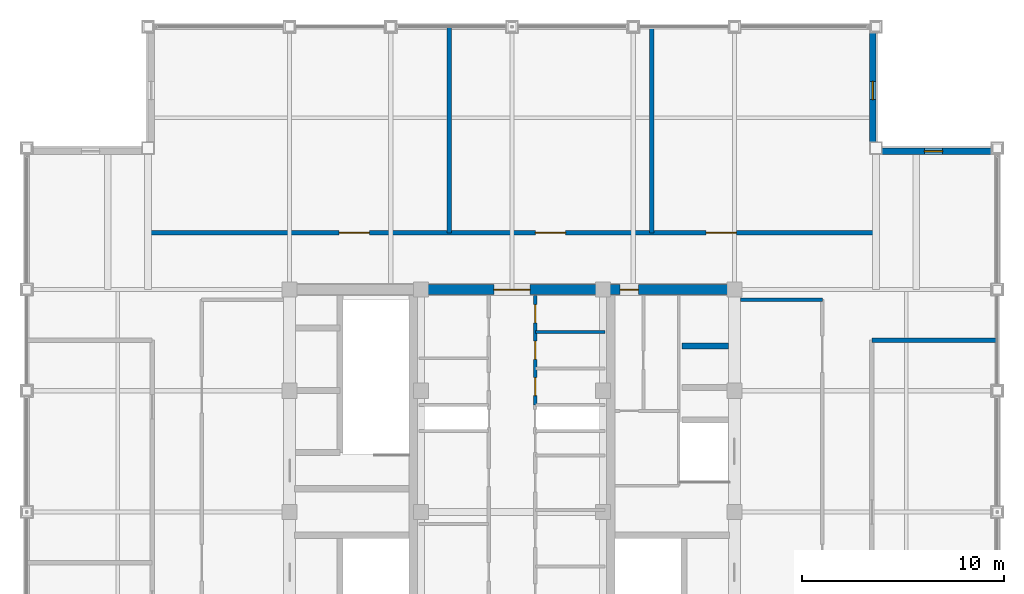
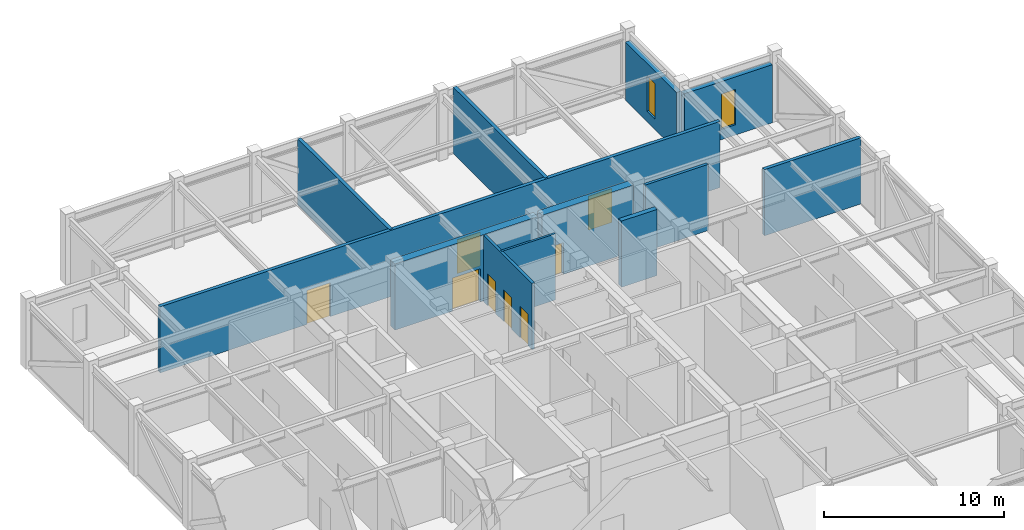
# One storey, part 26 of 27: 12 walls, 8 doors, 2 windows, 10 openings.
"""IFC4 building model written with IfcOpenShell, lengths in metres."""

from ifc_helpers import new_model, si_unit, direction, frame, frame_2d, origin, place, context, subcontext, project, spatial, rectangle, extrude, source, transform, mapped, material, layer, layer_set, type_object, element, fill, save


model = new_model("IFC4")

# Units and contexts
model_context = context("Model", 3, precision=1e-05, world=origin(), true_north=direction((0.0, 1.0)))
body_context = subcontext(model_context, "Body", "Model", "MODEL_VIEW")
ifc_project = project(units=[si_unit("LENGTHUNIT", "METRE"), si_unit("AREAUNIT", "SQUARE_METRE"), si_unit("VOLUMEUNIT", "CUBIC_METRE"), si_unit("PLANEANGLEUNIT", "RADIAN"), si_unit("MASSUNIT", "GRAM", prefix="KILO")], contexts=[model_context])

# Site, building, storey
site_placement = place(None, origin())
site = spatial("IfcSite", under=ifc_project, at=site_placement, CompositionType="ELEMENT")
building_placement = place(site_placement, origin())
building = spatial("IfcBuilding", under=site, at=building_placement, Name="Khorayat Bourse Tower", CompositionType="ELEMENT")
storey_placement = place(building_placement, frame((0.0, 0.0, 399.5)))
storey = spatial("IfcBuildingStorey", under=building, at=storey_placement, Name="L94", CompositionType="ELEMENT", Elevation=399.5)

# Wall, opening, door
ifc_material_1 = material(Name="Concrete C52/65", Category="concrete")
ifc_layer_1 = layer(ifc_material_1, 0.5)
ifc_layer_set_1 = layer_set([ifc_layer_1], Name="Concrete C52/65")
wall_type_1 = type_object("IfcWallType", Name="WAL-CORE-500", PredefinedType="SHEAR", material=ifc_layer_set_1)
shared_shape_1 = source(origin(), body_context, "Body", "SweptSolid", [
    extrude(rectangle(XDim=5.89990234375, YDim=0.5, at=frame_2d((2.949951171875, 0.0))), origin(), (0.0, 0.0, 1.0), 4.5),
])
wall_1_placement = place(storey_placement, frame((4.85009765625, 11.0, 0.0), z_axis=(0.0, 0.0, 1.0), x_axis=(1.0, 0.0, 0.0)))
wall_1 = element("IfcWall", 1, at=wall_1_placement, inside=storey, type_object=wall_type_1, Name="L94 Core Shear Wall PIER-EN", PredefinedType="SHEAR", context=body_context, shape_type="MappedRepresentation", body=[
    mapped(shared_shape_1, transform((0.0, 0.0, 0.0), scale=1.0)),
])
shared_shape_2 = source(origin(), body_context, "Body", "SweptSolid", [
    extrude(rectangle(XDim=0.89990234375, YDim=2.14990234375, at=frame_2d((0.449951171875, 1.074951171875))), frame((0.0, 0.260009765625, 0.0), z_axis=(0.0, -1.0, 0.0), x_axis=(1.0, 0.0, 0.0)), (0.0, 0.0, 1.0), 0.52001953125),
])
opening_1_placement = place(wall_1_placement, frame((0.5, 0.0, 0.0)))
opening_1 = element("IfcOpeningElement", 2, at=opening_1_placement, cuts=wall_1, Name="Opening DI-06", PredefinedType="OPENING", context=body_context, shape_type="MappedRepresentation", body=[
    mapped(shared_shape_2, transform((0.0, 0.0, 0.0), scale=1.0)),
])
ifc_material_2 = material(Name="Moisture-resistant laminate washroom door")
door_type_1 = type_object("IfcDoorType", Name="DR-INT-WC-900", OperationType="NOTDEFINED", PredefinedType="DOOR", material=ifc_material_2)
shared_shape_3 = source(origin(), body_context, "Body", "SweptSolid", [
    extrude(rectangle(XDim=0.89990234375, YDim=2.14990234375, at=frame_2d((0.449951171875, 1.074951171875))), frame((0.0, 0.02490234375, 0.0), z_axis=(0.0, -1.0, 0.0), x_axis=(1.0, 0.0, 0.0)), (0.0, 0.0, 1.0), 0.050048828125),
])
door_1_placement = place(opening_1_placement, origin())
door_1 = element("IfcDoor", 3, at=door_1_placement, inside=storey, type_object=door_type_1, Name="L94 Core Washroom Lobby Door", OperationType="SINGLE_SWING_LEFT", OverallHeight=2.14990234375, OverallWidth=0.89990234375, PredefinedType="DOOR", context=body_context, shape_type="MappedRepresentation", body=[
    mapped(shared_shape_3, transform((0.0, 0.0, 0.0), scale=1.0)),
])
fill(opening_1, door_1)

shared_shape_4 = source(origin(), body_context, "Body", "SweptSolid", [
    extrude(rectangle(XDim=9.2001953125, YDim=0.5, at=frame_2d((4.60009765625, 0.0))), origin(), (0.0, 0.0, 1.0), 4.5),
])
wall_2_placement = place(storey_placement, frame((-4.60009765625, 11.0, 0.0), z_axis=(0.0, 0.0, 1.0), x_axis=(1.0, 0.0, 0.0)))
wall_2 = element("IfcWall", 4, at=wall_2_placement, inside=storey, type_object=wall_type_1, Name="L94 Core Shear Wall CORE-N", PredefinedType="SHEAR", context=body_context, shape_type="MappedRepresentation", body=[
    mapped(shared_shape_4, transform((0.0, 0.0, 0.0), scale=1.0)),
])
shared_shape_5 = source(origin(), body_context, "Body", "SweptSolid", [
    extrude(rectangle(XDim=1.800048828125, YDim=2.25, at=frame_2d((0.89990234375, 1.125))), frame((0.0, 0.260009765625, 0.0), z_axis=(0.0, -1.0, 0.0), x_axis=(1.0, 0.0, 0.0)), (0.0, 0.0, 1.0), 0.52001953125),
])
opening_2_placement = place(wall_2_placement, frame((3.699951171875, 0.0, 0.0)))
opening_2 = element("IfcOpeningElement", 5, at=opening_2_placement, cuts=wall_2, Name="Opening DI-03", PredefinedType="OPENING", context=body_context, shape_type="MappedRepresentation", body=[
    mapped(shared_shape_5, transform((0.0, 0.0, 0.0), scale=1.0)),
])
ifc_material_3 = material(Name="Fire-rated hardwood vision-panel double leaf", Category="wood")
door_type_2 = type_object("IfcDoorType", Name="DR-INT-CORR-1800", OperationType="NOTDEFINED", PredefinedType="DOOR", material=ifc_material_3)
shared_shape_6 = source(origin(), body_context, "Body", "SweptSolid", [
    extrude(rectangle(XDim=1.800048828125, YDim=2.25, at=frame_2d((0.89990234375, 1.125))), frame((0.0, 0.02490234375, 0.0), z_axis=(0.0, -1.0, 0.0), x_axis=(1.0, 0.0, 0.0)), (0.0, 0.0, 1.0), 0.050048828125),
])
door_2_placement = place(opening_2_placement, origin())
door_2 = element("IfcDoor", 6, at=door_2_placement, inside=storey, type_object=door_type_2, Name="L94 Central Core North Passage Door", OperationType="SINGLE_SWING_RIGHT", OverallHeight=2.25, OverallWidth=1.800048828125, PredefinedType="DOOR", context=body_context, shape_type="MappedRepresentation", body=[
    mapped(shared_shape_6, transform((0.0, 0.0, 0.0), scale=1.0)),
])
fill(opening_2, door_2)

# Wall, opening, window
ifc_material_4 = material(Name="Precast concrete C45/55", Category="concrete")
ifc_layer_2 = layer(ifc_material_4, 0.320068359375)
ifc_layer_set_2 = layer_set([ifc_layer_2], Name="Precast concrete C45/55")
wall_type_2 = type_object("IfcWallType", Name="WAL-EXT-STONE-320", PredefinedType="STANDARD", material=ifc_layer_set_2)
shared_shape_7 = source(origin(), body_context, "Body", "SweptSolid", [
    extrude(rectangle(XDim=5.679931640625, YDim=0.320068359375, at=frame_2d((2.83984375, 0.0))), origin(), (0.0, 0.0, 1.0), 3.950927734375),
])
wall_3_placement = place(storey_placement, frame((18.0, 17.840087890625, 0.0), z_axis=(0.0, 0.0, 1.0), x_axis=(1.0, 0.0, 0.0)))
wall_3 = element("IfcWall", 7, at=wall_3_placement, inside=storey, type_object=wall_type_2, Name="L94 Re-Entrant Notch Limestone Wall NE-H", PredefinedType="STANDARD", context=body_context, shape_type="MappedRepresentation", body=[
    mapped(shared_shape_7, transform((0.0, 0.0, 0.0), scale=1.0)),
])
shared_shape_8 = source(origin(), body_context, "Body", "SweptSolid", [
    extrude(rectangle(XDim=0.89990234375, YDim=2.39990234375, at=frame_2d((0.449951171875, 1.199951171875))), frame((0.0, 0.169921875, 0.0), z_axis=(0.0, -1.0, 0.0), x_axis=(1.0, 0.0, 0.0)), (0.0, 0.0, 1.0), 0.340087890625),
])
opening_3_placement = place(wall_3_placement, frame((2.389892578125, 0.0, 0.699951171875)))
opening_3 = element("IfcOpeningElement", 8, at=opening_3_placement, cuts=wall_3, Name="Opening WN-03", PredefinedType="OPENING", context=body_context, shape_type="MappedRepresentation", body=[
    mapped(shared_shape_8, transform((0.0, 0.0, 0.0), scale=1.0)),
])
ifc_material_5 = material(Name="Deep-reveal solar-control double glazing", Category="glass")
window_type = type_object("IfcWindowType", Name="WIN-SLOT-900x2400", PartitioningType="SINGLE_PANEL", PredefinedType="WINDOW", material=ifc_material_5)
shared_shape_9 = source(origin(), body_context, "Body", "SweptSolid", [
    extrude(rectangle(XDim=0.89990234375, YDim=2.39990234375, at=frame_2d((0.449951171875, 1.199951171875))), frame((0.0, 0.030029296875, 0.0), z_axis=(0.0, -1.0, 0.0), x_axis=(1.0, 0.0, 0.0)), (0.0, 0.0, 1.0), 0.06005859375),
])
window_1_placement = place(opening_3_placement, origin())
window_1 = element("IfcWindow", 9, at=window_1_placement, inside=storey, type_object=window_type, Name="L94 Facade Window 1", OverallHeight=2.39990234375, OverallWidth=0.89990234375, PartitioningType="SINGLE_PANEL", PredefinedType="WINDOW", context=body_context, shape_type="MappedRepresentation", body=[
    mapped(shared_shape_9, transform((0.0, 0.0, 0.0), scale=1.0)),
])
fill(opening_3, window_1)

wall_4_placement = place(storey_placement, frame((17.840087890625, 18.0, 0.0), z_axis=(0.0, 0.0, 1.0), x_axis=(0.0, 1.0, 0.0)))
wall_4 = element("IfcWall", 10, at=wall_4_placement, inside=storey, type_object=wall_type_2, Name="L94 Re-Entrant Notch Limestone Wall NE-V", PredefinedType="STANDARD", context=body_context, shape_type="MappedRepresentation", body=[
    mapped(shared_shape_7, transform((0.0, 0.0, 0.0), scale=1.0)),
])
opening_4_placement = place(wall_4_placement, frame((2.389892578125, 0.0, 0.699951171875)))
opening_4 = element("IfcOpeningElement", 11, at=opening_4_placement, cuts=wall_4, Name="Opening WN-03", PredefinedType="OPENING", context=body_context, shape_type="MappedRepresentation", body=[
    mapped(shared_shape_8, transform((0.0, 0.0, 0.0), scale=1.0)),
])
window_2_placement = place(opening_4_placement, origin())
window_2 = element("IfcWindow", 12, at=window_2_placement, inside=storey, type_object=window_type, Name="L94 Facade Window 1", OverallHeight=2.39990234375, OverallWidth=0.89990234375, PartitioningType="SINGLE_PANEL", PredefinedType="WINDOW", context=body_context, shape_type="MappedRepresentation", body=[
    mapped(shared_shape_9, transform((0.0, 0.0, 0.0), scale=1.0)),
])
fill(opening_4, window_2)

# Walls
ifc_material_6 = material(Name="Concrete C50/60", Category="concrete")
ifc_layer_3 = layer(ifc_material_6, 0.300048828125)
ifc_layer_set_3 = layer_set([ifc_layer_3], Name="Concrete C50/60")
wall_type_3 = type_object("IfcWallType", Name="WAL-SHAFT-300", PredefinedType="SHEAR", material=ifc_layer_set_3)
shared_shape_10 = source(origin(), body_context, "Body", "SweptSolid", [
    extrude(rectangle(XDim=2.300048828125, YDim=0.300048828125, at=frame_2d((1.14990234375, 0.0))), origin(), (0.0, 0.0, 1.0), 4.5),
])
wall_5_placement = place(storey_placement, frame((8.39990234375, 8.199951171875, 0.0), z_axis=(0.0, 0.0, 1.0), x_axis=(1.0, 0.0, 0.0)))
element("IfcWall", 13, at=wall_5_placement, inside=storey, type_object=wall_type_3, Name="L94 Partition WAL-L94-EPIER-H34", PredefinedType="SHEAR", context=body_context, shape_type="MappedRepresentation", body=[
    mapped(shared_shape_10, transform((0.0, 0.0, 0.0), scale=1.0)),
])
ifc_material_7 = material(Name="Gypsum plasterboard acoustic stud wall")
ifc_layer_4 = layer(ifc_material_7, 0.179931640625)
ifc_layer_set_4 = layer_set([ifc_layer_4], Name="Gypsum plasterboard acoustic stud wall")
wall_type_4 = type_object("IfcWallType", Name="WAL-PART-CORR-180", PredefinedType="PARTITIONING", material=ifc_layer_set_4)
shared_shape_11 = source(origin(), body_context, "Body", "SweptSolid", [
    extrude(rectangle(XDim=4.050048828125, YDim=0.179931640625, at=frame_2d((2.02490234375, 0.0))), origin(), (0.0, 0.0, 1.0), 4.5),
])
wall_6_placement = place(storey_placement, frame((11.300048828125, 10.5, 0.0), z_axis=(0.0, 0.0, 1.0), x_axis=(1.0, 0.0, 0.0)))
element("IfcWall", 14, at=wall_6_placement, inside=storey, type_object=wall_type_4, Name="L94 Partition WAL-L94-ELOB-N", PredefinedType="PARTITIONING", context=body_context, shape_type="MappedRepresentation", body=[
    mapped(shared_shape_11, transform((0.0, 0.0, 0.0), scale=1.0)),
])
ifc_material_8 = material(Name="Moisture-resistant masonry partition", Category="masonry")
ifc_layer_5 = layer(ifc_material_8, 0.139892578125)
ifc_layer_set_5 = layer_set([ifc_layer_5], Name="Moisture-resistant masonry partition")
wall_type_5 = type_object("IfcWallType", Name="WAL-PART-WET-140", PredefinedType="PARTITIONING", material=ifc_layer_set_5)
shared_shape_12 = source(origin(), body_context, "Body", "SweptSolid", [
    extrude(rectangle(XDim=3.4501953125, YDim=0.139892578125, at=frame_2d((1.72509765625, 0.0))), origin(), (0.0, 0.0, 1.0), 4.5),
])
wall_7_placement = place(storey_placement, frame((1.14990234375, 8.89990234375, 0.0), z_axis=(0.0, 0.0, 1.0), x_axis=(1.0, 0.0, 0.0)))
element("IfcWall", 15, at=wall_7_placement, inside=storey, type_object=wall_type_5, Name="L94 Partition WAL-L94-FB2E-D2", PredefinedType="PARTITIONING", context=body_context, shape_type="MappedRepresentation", body=[
    mapped(shared_shape_12, transform((0.0, 0.0, 0.0), scale=1.0)),
])

# Wall, openings, doors
shared_shape_13 = source(origin(), body_context, "Body", "SweptSolid", [
    extrude(rectangle(XDim=5.39990234375, YDim=0.179931640625, at=frame_2d((2.699951171875, 0.0))), origin(), (0.0, 0.0, 1.0), 4.5),
])
wall_8_placement = place(storey_placement, frame((1.14990234375, 5.300048828125, 0.0), z_axis=(0.0, 0.0, 1.0), x_axis=(0.0, 1.0, 0.0)))
wall_8 = element("IfcWall", 16, at=wall_8_placement, inside=storey, type_object=wall_type_4, Name="L94 Partition WAL-L94-FB2E-L", PredefinedType="PARTITIONING", context=body_context, shape_type="MappedRepresentation", body=[
    mapped(shared_shape_13, transform((0.0, 0.0, 0.0), scale=1.0)),
])
shared_shape_14 = source(origin(), body_context, "Body", "SweptSolid", [
    extrude(rectangle(XDim=0.89990234375, YDim=2.14990234375, at=frame_2d((0.449951171875, 1.074951171875))), frame((0.0, 0.099853515625, 0.0), z_axis=(0.0, -1.0, 0.0), x_axis=(1.0, 0.0, 0.0)), (0.0, 0.0, 1.0), 0.199951171875),
])
opening_5_placement = place(wall_8_placement, frame((0.449951171875, 0.0, 0.0)))
opening_5 = element("IfcOpeningElement", 17, at=opening_5_placement, cuts=wall_8, Name="Opening DI-06", PredefinedType="OPENING", context=body_context, shape_type="MappedRepresentation", body=[
    mapped(shared_shape_14, transform((0.0, 0.0, 0.0), scale=1.0)),
])
opening_6_placement = place(wall_8_placement, frame((2.25, 0.0, 0.0)))
opening_6 = element("IfcOpeningElement", 18, at=opening_6_placement, cuts=wall_8, Name="Opening DI-06", PredefinedType="OPENING", context=body_context, shape_type="MappedRepresentation", body=[
    mapped(shared_shape_14, transform((0.0, 0.0, 0.0), scale=1.0)),
])
opening_7_placement = place(wall_8_placement, frame((4.050048828125, 0.0, 0.0)))
opening_7 = element("IfcOpeningElement", 19, at=opening_7_placement, cuts=wall_8, Name="Opening DI-06", PredefinedType="OPENING", context=body_context, shape_type="MappedRepresentation", body=[
    mapped(shared_shape_14, transform((0.0, 0.0, 0.0), scale=1.0)),
])
door_3_placement = place(opening_5_placement, origin())
door_3 = element("IfcDoor", 20, at=door_3_placement, inside=storey, type_object=door_type_1, Name="L94 Linen Store Door", OperationType="SINGLE_SWING_RIGHT", OverallHeight=2.14990234375, OverallWidth=0.89990234375, PredefinedType="DOOR", context=body_context, shape_type="MappedRepresentation", body=[
    mapped(shared_shape_3, transform((0.0, 0.0, 0.0), scale=1.0)),
])
fill(opening_5, door_3)
door_4_placement = place(opening_6_placement, origin())
door_4 = element("IfcDoor", 21, at=door_4_placement, inside=storey, type_object=door_type_1, Name="L94 Sub-Meter Room Door", OperationType="SINGLE_SWING_LEFT", OverallHeight=2.14990234375, OverallWidth=0.89990234375, PredefinedType="DOOR", context=body_context, shape_type="MappedRepresentation", body=[
    mapped(shared_shape_3, transform((0.0, 0.0, 0.0), scale=1.0)),
])
fill(opening_6, door_4)
door_5_placement = place(opening_7_placement, origin())
door_5 = element("IfcDoor", 22, at=door_5_placement, inside=storey, type_object=door_type_1, Name="L94 Records Store Door", OperationType="SINGLE_SWING_RIGHT", OverallHeight=2.14990234375, OverallWidth=0.89990234375, PredefinedType="DOOR", context=body_context, shape_type="MappedRepresentation", body=[
    mapped(shared_shape_3, transform((0.0, 0.0, 0.0), scale=1.0)),
])
fill(opening_7, door_5)

# Walls
ifc_material_9 = material(Name="Aerated concrete blockwork", Category="masonry")
ifc_layer_6 = layer(ifc_material_9, 0.219970703125)
ifc_layer_set_6 = layer_set([ifc_layer_6], Name="Aerated concrete blockwork")
wall_type_6 = type_object("IfcWallType", Name="WAL-PART-FF-220", PredefinedType="PARTITIONING", material=ifc_layer_set_6)
shared_shape_15 = source(origin(), body_context, "Body", "SweptSolid", [
    extrude(rectangle(XDim=10.199951171875, YDim=0.219970703125, at=frame_2d((5.10009765625, 0.0))), origin(), (0.0, 0.0, 1.0), 4.5),
])
for number, where, z_axis, x_axis, name in (
    (23, (-3.10009765625, 13.800048828125, 0.0), (0.0, 0.0, 1.0), (0.0, 1.0, 0.0), "L94 Partition WAL-L94-PLN-D1"),
    (24, (6.89990234375, 13.800048828125, 0.0), (0.0, 0.0, 1.0), (0.0, 1.0, 0.0), "L94 Partition WAL-L94-PLN-D2"),
):
    element("IfcWall", number, at=place(storey_placement, frame(where, z_axis=z_axis, x_axis=x_axis)), inside=storey, type_object=wall_type_6, Name=name, PredefinedType="PARTITIONING", context=body_context, shape_type="MappedRepresentation", body=[
        mapped(shared_shape_15, transform((0.0, 0.0, 0.0), scale=1.0)),
    ])

# Wall, openings, doors
shared_shape_16 = source(origin(), body_context, "Body", "SweptSolid", [
    extrude(rectangle(XDim=36.0, YDim=0.219970703125, at=frame_2d((18.0, 0.0))), origin(), (0.0, 0.0, 1.0), 4.5),
])
wall_9_placement = place(storey_placement, frame((-18.0, 13.800048828125, 0.0), z_axis=(0.0, 0.0, 1.0), x_axis=(1.0, 0.0, 0.0)))
wall_9 = element("IfcWall", 25, at=wall_9_placement, inside=storey, type_object=wall_type_6, Name="L94 Partition WAL-L94-PLN-S", PredefinedType="PARTITIONING", context=body_context, shape_type="MappedRepresentation", body=[
    mapped(shared_shape_16, transform((0.0, 0.0, 0.0), scale=1.0)),
])
shared_shape_17 = source(origin(), body_context, "Body", "SweptSolid", [
    extrude(rectangle(XDim=1.5, YDim=2.300048828125, at=frame_2d((0.75, 1.14990234375))), frame((0.0, 0.119873046875, 0.0), z_axis=(0.0, -1.0, 0.0), x_axis=(1.0, 0.0, 0.0)), (0.0, 0.0, 1.0), 0.239990234375),
])
opening_8_placement = place(wall_9_placement, frame((9.449951171875, 0.0, 0.0)))
opening_8 = element("IfcOpeningElement", 26, at=opening_8_placement, cuts=wall_9, Name="Opening DI-07", PredefinedType="OPENING", context=body_context, shape_type="MappedRepresentation", body=[
    mapped(shared_shape_17, transform((0.0, 0.0, 0.0), scale=1.0)),
])
opening_9_placement = place(wall_9_placement, frame((19.14990234375, 0.0, 0.0)))
opening_9 = element("IfcOpeningElement", 27, at=opening_9_placement, cuts=wall_9, Name="Opening DI-07", PredefinedType="OPENING", context=body_context, shape_type="MappedRepresentation", body=[
    mapped(shared_shape_17, transform((0.0, 0.0, 0.0), scale=1.0)),
])
opening_10_placement = place(wall_9_placement, frame((27.60009765625, 0.0, 0.0)))
opening_10 = element("IfcOpeningElement", 28, at=opening_10_placement, cuts=wall_9, Name="Opening DI-07", PredefinedType="OPENING", context=body_context, shape_type="MappedRepresentation", body=[
    mapped(shared_shape_17, transform((0.0, 0.0, 0.0), scale=1.0)),
])
ifc_material_10 = material(Name="Louvred fire-rated steel plant double door", Category="steel")
door_type_3 = type_object("IfcDoorType", Name="DR-INT-PLANT-1500", OperationType="NOTDEFINED", PredefinedType="DOOR", material=ifc_material_10)
shared_shape_18 = source(origin(), body_context, "Body", "SweptSolid", [
    extrude(rectangle(XDim=1.5, YDim=2.300048828125, at=frame_2d((0.75, 1.14990234375))), frame((0.0, 0.02490234375, 0.0), z_axis=(0.0, -1.0, 0.0), x_axis=(1.0, 0.0, 0.0)), (0.0, 0.0, 1.0), 0.050048828125),
])
door_6_placement = place(opening_8_placement, origin())
door_6 = element("IfcDoor", 29, at=door_6_placement, inside=storey, type_object=door_type_3, Name="L94 AHU Plant Door", OperationType="SINGLE_SWING_LEFT", OverallHeight=2.300048828125, OverallWidth=1.5, PredefinedType="DOOR", context=body_context, shape_type="MappedRepresentation", body=[
    mapped(shared_shape_18, transform((0.0, 0.0, 0.0), scale=1.0)),
])
fill(opening_8, door_6)
door_7_placement = place(opening_9_placement, origin())
door_7 = element("IfcDoor", 30, at=door_7_placement, inside=storey, type_object=door_type_3, Name="L94 HV Switchgear Door", OperationType="SINGLE_SWING_RIGHT", OverallHeight=2.300048828125, OverallWidth=1.5, PredefinedType="DOOR", context=body_context, shape_type="MappedRepresentation", body=[
    mapped(shared_shape_18, transform((0.0, 0.0, 0.0), scale=1.0)),
])
fill(opening_9, door_7)
door_8_placement = place(opening_10_placement, origin())
door_8 = element("IfcDoor", 31, at=door_8_placement, inside=storey, type_object=door_type_3, Name="L94 BMS Plant Door", OperationType="SINGLE_SWING_LEFT", OverallHeight=2.300048828125, OverallWidth=1.5, PredefinedType="DOOR", context=body_context, shape_type="MappedRepresentation", body=[
    mapped(shared_shape_18, transform((0.0, 0.0, 0.0), scale=1.0)),
])
fill(opening_10, door_8)

# Wall
shared_shape_19 = source(origin(), body_context, "Body", "SweptSolid", [
    extrude(rectangle(XDim=6.199951171875, YDim=0.219970703125, at=frame_2d((3.10009765625, 0.0))), origin(), (0.0, 0.0, 1.0), 4.5),
])
wall_10_placement = place(storey_placement, frame((17.800048828125, 8.5, 0.0), z_axis=(0.0, 0.0, 1.0), x_axis=(1.0, 0.0, 0.0)))
element("IfcWall", 32, at=wall_10_placement, inside=storey, type_object=wall_type_6, Name="L94 Partition WAL-L94-PLE-N", PredefinedType="PARTITIONING", context=body_context, shape_type="MappedRepresentation", body=[
    mapped(shared_shape_19, transform((0.0, 0.0, 0.0), scale=1.0)),
])

save(model, "model.ifc")
